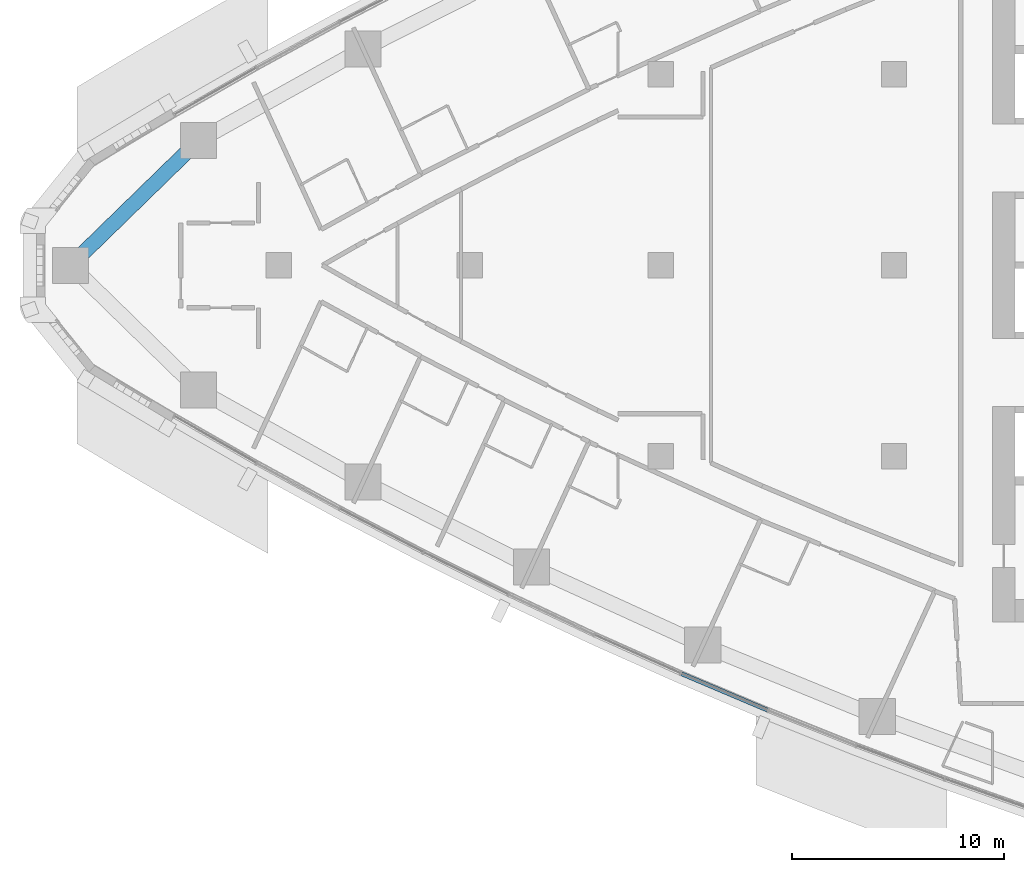
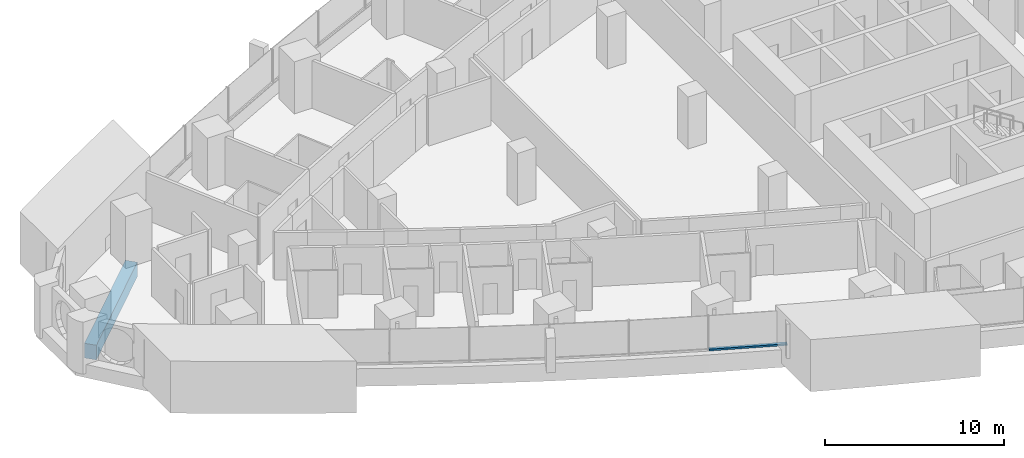
# One storey, part 3 of 17: 1 beam, 1 member, 1 element without a shape of its own.
"""IFC4 building model written with IfcOpenShell, lengths in metres."""

from ifc_helpers import new_model, si_unit, direction, frame, origin, origin_2d, place, context, subcontext, project, spatial, rectangle, extrude, material, layer, layer_set, material_profile, profile_set, type_object, element, aggregate, save


model = new_model("IFC4")

# Units and contexts
model_context = context("Model", 3, precision=1e-05, world=origin(), true_north=direction((0.0, 1.0)))
body_context = subcontext(model_context, "Body", "Model", "MODEL_VIEW")
ifc_project = project(units=[si_unit("LENGTHUNIT", "METRE"), si_unit("AREAUNIT", "SQUARE_METRE"), si_unit("VOLUMEUNIT", "CUBIC_METRE"), si_unit("PLANEANGLEUNIT", "RADIAN"), si_unit("MASSUNIT", "GRAM", prefix="KILO")], contexts=[model_context])

# Site, building, storey
site_placement = place(None, origin())
site = spatial("IfcSite", under=ifc_project, at=site_placement, CompositionType="ELEMENT")
building_placement = place(site_placement, origin())
building = spatial("IfcBuilding", under=site, at=building_placement, Name="Ostrand Prow Hotel Tower", CompositionType="ELEMENT")
storey_placement = place(building_placement, frame((0.0, 0.0, 99.10009765625)))
storey = spatial("IfcBuildingStorey", under=building, at=storey_placement, Name="L23", CompositionType="ELEMENT", Elevation=99.10009765625)

# Beam
ifc_material_1 = material(Name="Concrete C80/95", Category="concrete")
ifc_material_profile_1 = material_profile(ifc_material_1, rectangle(XDim=0.699951171875, YDim=1.0, at=origin_2d()), Name="RC 700x1000")
ifc_profile_set_1 = profile_set([ifc_material_profile_1], Name="Concrete C80/95")
beam_type = type_object("IfcBeamType", Name="Edge beam 700x1000 C80/95", PredefinedType="SPANDREL", material=ifc_profile_set_1)
beam_placement = place(storey_placement, frame((12.221435546875, 5.876220703125, -0.800048828125), z_axis=(-0.716082759826, -0.698015387423, 0.0), x_axis=(0.698015387423, -0.716082759826, 0.0)))
element("IfcBeam", 1, at=beam_placement, inside=storey, type_object=beam_type, Name="Edge beam N6-P", PredefinedType="SPANDREL", context=body_context, shape_type="SweptSolid", body=[
    extrude(rectangle(XDim=0.699951171875, YDim=1.0, at=origin_2d()), origin(), (0.0, 0.0, 1.0), 8.41845703125),
])

# Curtain wall, member
ifc_material_2 = material(Name="Insulated glass in bronze anodised frame", Category="glass")
ifc_layer = layer(ifc_material_2, 0.199951171875)
ifc_layer_set = layer_set([ifc_layer], Name="Insulated glass in bronze anodised frame")
curtain_wall_type = type_object("IfcCurtainWallType", Name="Strip curtain wall, fritted glass over bronze spandrel", PredefinedType="NOTDEFINED", material=ifc_layer_set)
curtain_wall_placement = place(storey_placement, origin())
curtain_wall = element("IfcCurtainWall", 2, at=curtain_wall_placement, inside=storey, type_object=curtain_wall_type, Name="CW1 run CWS4", PredefinedType="NOTDEFINED")
ifc_material_3 = material(Name="Bronze anodised aluminium", Category="aluminium")
ifc_material_profile_2 = material_profile(ifc_material_3, rectangle(XDim=0.199951171875, YDim=0.1201171875, at=origin_2d()), Name="Transom 120x200 bronze anodised aluminium")
ifc_profile_set_2 = profile_set([ifc_material_profile_2], Name="Bronze anodised aluminium")
member_type = type_object("IfcMemberType", Name="Transom 120x200 bronze anodised aluminium", PredefinedType="USERDEFINED", material=ifc_profile_set_2)
member_placement = place(storey_placement, frame((34.978271484375, -19.24462890625, 0.9599609375), z_axis=(0.921006250528, -0.389547797438, 0.0), x_axis=(0.389547797438, 0.921006250528, 0.0)))
member = element("IfcMember", 3, at=member_placement, type_object=member_type, Name="CW1 transom 1.1", ObjectType="TRANSOM", PredefinedType="USERDEFINED", context=body_context, shape_type="SweptSolid", body=[
    extrude(rectangle(XDim=0.199951171875, YDim=0.1201171875, at=origin_2d()), origin(), (0.0, 0.0, 1.0), 4.406005859375),
])
aggregate(curtain_wall, [member])

save(model, "model.ifc")
